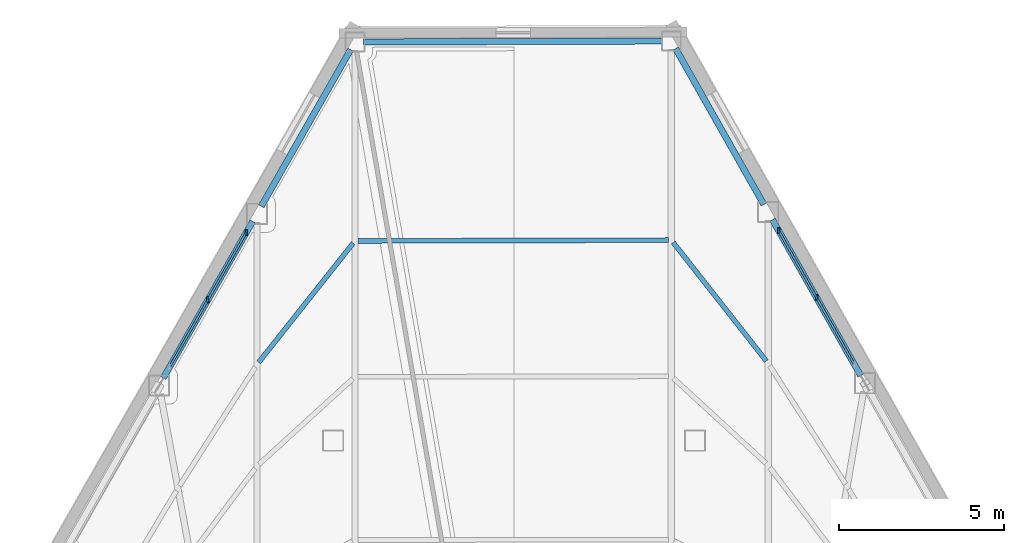
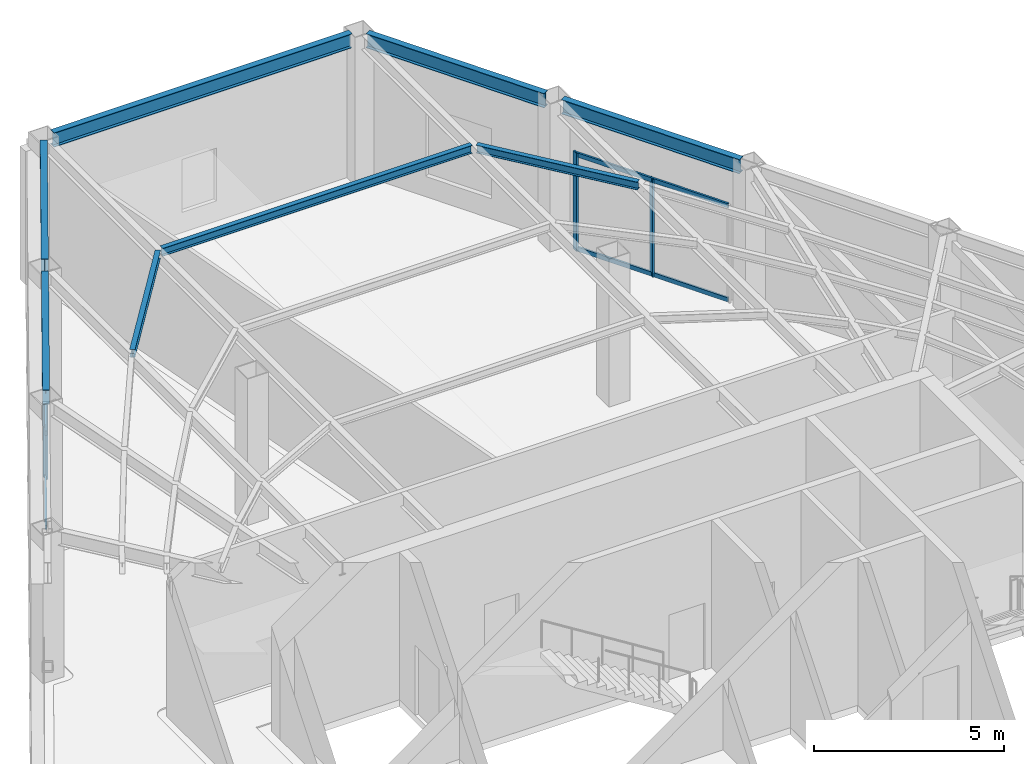
# One storey, part 7 of 14: 8 beams, 8 members, 2 elements without a shape of their own.
"""IFC4 building model written with IfcOpenShell, lengths in metres."""

from ifc_helpers import new_model, si_unit, direction, frame, origin, origin_2d, place, context, subcontext, project, spatial, rectangle, i_section, extrude, material, layer, layer_set, material_profile, profile_set, type_object, element, aggregate, save


model = new_model("IFC4")

# Units and contexts
model_context = context("Model", 3, precision=1e-05, world=origin(), true_north=direction((0.0, 1.0)))
body_context = subcontext(model_context, "Body", "Model", "MODEL_VIEW")
ifc_project = project(units=[si_unit("LENGTHUNIT", "METRE"), si_unit("AREAUNIT", "SQUARE_METRE"), si_unit("VOLUMEUNIT", "CUBIC_METRE"), si_unit("PLANEANGLEUNIT", "RADIAN"), si_unit("MASSUNIT", "GRAM", prefix="KILO")], contexts=[model_context])

# Site, building, storey
site_placement = place(None, origin())
site = spatial("IfcSite", under=ifc_project, at=site_placement, CompositionType="ELEMENT")
building_placement = place(site_placement, origin())
building = spatial("IfcBuilding", under=site, at=building_placement, Name="Kavelnor Concourse Tower", CompositionType="ELEMENT")
storey_placement = place(building_placement, frame((0.0, 0.0, 160.0)))
storey = spatial("IfcBuildingStorey", under=building, at=storey_placement, Name="L40", CompositionType="ELEMENT", Elevation=160.0)

# Beams
ifc_material_1 = material(Name="Steel Grade 350", Category="steel")
ifc_material_profile_1 = material_profile(ifc_material_1, i_section(OverallWidth=0.14599609375, OverallDepth=0.256103515625, WebThickness=0.00634765625, FlangeThickness=0.010986328125, at=origin_2d()), Name="250UB37")
ifc_profile_set_1 = profile_set([ifc_material_profile_1], Name="Steel Grade 350")
beam_type_1 = type_object("IfcBeamType", Name="BM-JOIST-250", PredefinedType="JOIST", material=ifc_profile_set_1)
beam_1_placement = place(storey_placement, frame((45.666259765625, 34.22216796875, 4.6220703125), z_axis=(-0.617929747474, 0.786233315999, 0.0), x_axis=(-0.786233315999, -0.617929747474, 0.0)))
element("IfcBeam", 1, at=beam_1_placement, inside=storey, type_object=beam_type_1, Name="L40 Secondary Composite Joist 14-3", PredefinedType="JOIST", context=body_context, shape_type="SweptSolid", body=[
    extrude(i_section(OverallWidth=0.14599609375, OverallDepth=0.256103515625, WebThickness=0.00634765625, FlangeThickness=0.010986328125, at=origin_2d()), origin(), (0.0, 0.0, 1.0), 4.583984375),
])
beam_2_placement = place(storey_placement, frame((42.689697265625, 37.89599609375, 4.6220703125), z_axis=(-0.999996981115, -0.002457185692, 0.0), x_axis=(0.002457185692, -0.999996981115, 0.0)))
element("IfcBeam", 2, at=beam_2_placement, inside=storey, type_object=beam_type_1, Name="L40 Secondary Composite Joist 15-3", PredefinedType="JOIST", context=body_context, shape_type="SweptSolid", body=[
    extrude(i_section(OverallWidth=0.14599609375, OverallDepth=0.256103515625, WebThickness=0.00634765625, FlangeThickness=0.010986328125, at=origin_2d()), origin(), (0.0, 0.0, 1.0), 9.43896484375),
])
beam_3_placement = place(storey_placement, frame((33.1064453125, 37.802734375, 4.6220703125), z_axis=(-0.620915551658, -0.783877463453, 0.0), x_axis=(0.783877463453, -0.620915551658, 0.0)))
element("IfcBeam", 3, at=beam_3_placement, inside=storey, type_object=beam_type_1, Name="L40 Secondary Composite Joist 16-3", PredefinedType="JOIST", context=body_context, shape_type="SweptSolid", body=[
    extrude(i_section(OverallWidth=0.14599609375, OverallDepth=0.256103515625, WebThickness=0.00634765625, FlangeThickness=0.010986328125, at=origin_2d()), origin(), (0.0, 0.0, 1.0), 4.6171875),
])
ifc_material_profile_2 = material_profile(ifc_material_1, i_section(OverallWidth=0.19091796875, OverallDepth=0.4599609375, WebThickness=0.010009765625, FlangeThickness=0.01611328125, at=origin_2d()), Name="460UB82")
ifc_profile_set_2 = profile_set([ifc_material_profile_2], Name="Steel Grade 350")
beam_type_2 = type_object("IfcBeamType", Name="BM-SPANDREL-Z3", PredefinedType="SPANDREL", material=ifc_profile_set_2)
for number, where, z_axis, x_axis, name in (
    (4, (33.030517578125, 43.686279296875, 4.52001953125), (-0.495423938021, -0.868651323395, 0.0), (0.868651323395, -0.495423938021, 0.0), "L40 Perimeter Tube Spandrel Beam F0-B0"),
    (5, (30.052734375, 38.46533203125, 4.52001953125), (-0.495423938021, -0.868651323395, 0.0), (0.868651323395, -0.495423938021, 0.0), "L40 Perimeter Tube Spandrel Beam F0-B1"),
):
    element("IfcBeam", number, at=place(storey_placement, frame(where, z_axis=z_axis, x_axis=x_axis)), inside=storey, type_object=beam_type_2, Name=name, PredefinedType="SPANDREL", context=body_context, shape_type="SweptSolid", body=[
        extrude(i_section(OverallWidth=0.19091796875, OverallDepth=0.4599609375, WebThickness=0.010009765625, FlangeThickness=0.01611328125, at=origin_2d()), origin(), (0.0, 0.0, 1.0), 5.480224609375),
    ])
beam_4_placement = place(storey_placement, frame((42.513916015625, 43.947998046875, 4.52001953125), z_axis=(-0.999994270308, -0.003385166386, 0.0), x_axis=(0.003385166386, -0.999994270308, 0.0)))
element("IfcBeam", 6, at=beam_4_placement, inside=storey, type_object=beam_type_2, Name="L40 Chamfer Facet Spandrel Beam C0", PredefinedType="SPANDREL", context=body_context, shape_type="SweptSolid", body=[
    extrude(i_section(OverallWidth=0.19091796875, OverallDepth=0.4599609375, WebThickness=0.010009765625, FlangeThickness=0.01611328125, at=origin_2d()), origin(), (0.0, 0.0, 1.0), 9.087158203125),
])
beam_5_placement = place(storey_placement, frame((48.533203125, 33.779541015625, 4.52001953125), z_axis=(-0.492469427055, 0.870329744072, 0.0), x_axis=(-0.870329744072, -0.492469427055, 0.0)))
element("IfcBeam", 7, at=beam_5_placement, inside=storey, type_object=beam_type_2, Name="L40 Perimeter Tube Spandrel Beam F2-B4", PredefinedType="SPANDREL", context=body_context, shape_type="SweptSolid", body=[
    extrude(i_section(OverallWidth=0.19091796875, OverallDepth=0.4599609375, WebThickness=0.010009765625, FlangeThickness=0.01611328125, at=origin_2d()), origin(), (0.0, 0.0, 1.0), 5.44482421875),
])
beam_6_placement = place(storey_placement, frame((45.5908203125, 38.9794921875, 4.52001953125), z_axis=(-0.492484172055, 0.870321400561, 0.0), x_axis=(-0.870321400561, -0.492484172055, 0.0)))
element("IfcBeam", 8, at=beam_6_placement, inside=storey, type_object=beam_type_2, Name="L40 Perimeter Tube Spandrel Beam F2-B5", PredefinedType="SPANDREL", context=body_context, shape_type="SweptSolid", body=[
    extrude(i_section(OverallWidth=0.19091796875, OverallDepth=0.4599609375, WebThickness=0.010009765625, FlangeThickness=0.01611328125, at=origin_2d()), origin(), (0.0, 0.0, 1.0), 5.445068359375),
])

# Curtain wall, members
ifc_material_2 = material(Name="Anodised aluminium 6063-T6", Category="aluminium")
ifc_layer = layer(ifc_material_2, 0.169921875, Name="Anodised aluminium 6063-T6")
ifc_layer_set = layer_set([ifc_layer], Name="Anodised aluminium 6063-T6")
curtain_wall_type = type_object("IfcCurtainWallType", Name="CW-SKYLOBBY-L40", PredefinedType="NOTDEFINED", material=ifc_layer_set)
curtain_wall_1_placement = place(storey_placement, origin())
curtain_wall_1 = element("IfcCurtainWall", 9, at=curtain_wall_1_placement, inside=storey, type_object=curtain_wall_type, Name="L40 Feature Curtain Wall F0-B1", PredefinedType="NOTDEFINED")
ifc_material_profile_3 = material_profile(ifc_material_2, rectangle(XDim=0.06005859375, YDim=0.169921875, at=origin_2d()), Name="AL-MULL 60x170")
ifc_profile_set_3 = profile_set([ifc_material_profile_3], Name="Anodised aluminium 6063-T6")
member_type_1 = type_object("IfcMemberType", Name="CW-SKYLOBBY-L40-MULL", PredefinedType="MULLION", material=ifc_profile_set_3)
member_1_placement = place(storey_placement, frame((29.862060546875, 38.130859375, 0.0), z_axis=(0.0, 0.0, 1.0), x_axis=(1.0, 0.0, 0.0)))
member_1 = element("IfcMember", 10, at=member_1_placement, type_object=member_type_1, Name="L40 Feature Curtain Wall F0-B1 Mullion 0", PredefinedType="MULLION", context=body_context, shape_type="SweptSolid", body=[
    extrude(rectangle(XDim=0.06005859375, YDim=0.169921875, at=origin_2d()), origin(), (0.0, 0.0, 1.0), 3.14990234375),
])
member_2_placement = place(storey_placement, frame((28.6953125, 36.0849609375, 0.0), z_axis=(0.0, 0.0, 1.0), x_axis=(1.0, 0.0, 0.0)))
member_2 = element("IfcMember", 11, at=member_2_placement, type_object=member_type_1, Name="L40 Feature Curtain Wall F0-B1 Mullion 1", PredefinedType="MULLION", context=body_context, shape_type="SweptSolid", body=[
    extrude(rectangle(XDim=0.06005859375, YDim=0.169921875, at=origin_2d()), origin(), (0.0, 0.0, 1.0), 3.14990234375),
])

curtain_wall_2_placement = place(storey_placement, origin())
curtain_wall_2 = element("IfcCurtainWall", 12, at=curtain_wall_2_placement, inside=storey, type_object=curtain_wall_type, Name="L40 Feature Curtain Wall F2-B4", PredefinedType="NOTDEFINED")
member_3_placement = place(storey_placement, frame((47.1923828125, 36.14892578125, 0.0), z_axis=(0.0, 0.0, 1.0), x_axis=(1.0, 0.0, 0.0)))
member_3 = element("IfcMember", 13, at=member_3_placement, type_object=member_type_1, Name="L40 Feature Curtain Wall F2-B4 Mullion 1", PredefinedType="MULLION", context=body_context, shape_type="SweptSolid", body=[
    extrude(rectangle(XDim=0.06005859375, YDim=0.169921875, at=origin_2d()), origin(), (0.0, 0.0, 1.0), 3.14990234375),
])
member_4_placement = place(storey_placement, frame((46.04150390625, 38.183349609375, 0.0), z_axis=(0.0, 0.0, 1.0), x_axis=(1.0, 0.0, 0.0)))
member_4 = element("IfcMember", 14, at=member_4_placement, type_object=member_type_1, Name="L40 Feature Curtain Wall F2-B4 Mullion 2", PredefinedType="MULLION", context=body_context, shape_type="SweptSolid", body=[
    extrude(rectangle(XDim=0.06005859375, YDim=0.169921875, at=origin_2d()), origin(), (0.0, 0.0, 1.0), 3.14990234375),
])

# Member
ifc_material_profile_4 = material_profile(ifc_material_2, rectangle(XDim=0.06005859375, YDim=0.139892578125, at=origin_2d()), Name="AL-TRAN 60x140")
ifc_profile_set_4 = profile_set([ifc_material_profile_4], Name="Anodised aluminium 6063-T6")
member_type_2 = type_object("IfcMemberType", Name="CW-SKYLOBBY-L40-TRAN", PredefinedType="USERDEFINED", material=ifc_profile_set_4)
member_5_placement = place(storey_placement, frame((29.862060546875, 38.130859375, 0.06005859375), z_axis=(-0.495452222269, -0.868635191233, 0.0), x_axis=(0.868635191233, -0.495452222269, 0.0)))
member_5 = element("IfcMember", 15, at=member_5_placement, type_object=member_type_2, Name="L40 Feature Curtain Wall F0-B1 Transom 0-BOT", ObjectType="TRANSOM", PredefinedType="USERDEFINED", context=body_context, shape_type="SweptSolid", body=[
    extrude(rectangle(XDim=0.06005859375, YDim=0.139892578125, at=origin_2d()), origin(), (0.0, 0.0, 1.0), 4.710205078125),
])

member_6_placement = place(storey_placement, frame((29.862060546875, 38.130859375, 3.090087890625), z_axis=(-0.495452222269, -0.868635191233, 0.0), x_axis=(0.868635191233, -0.495452222269, 0.0)))
member_6 = element("IfcMember", 16, at=member_6_placement, type_object=member_type_2, Name="L40 Feature Curtain Wall F0-B1 Transom 0-TOP", ObjectType="TRANSOM", PredefinedType="USERDEFINED", context=body_context, shape_type="SweptSolid", body=[
    extrude(rectangle(XDim=0.06005859375, YDim=0.139892578125, at=origin_2d()), origin(), (0.0, 0.0, 1.0), 4.710205078125),
])

aggregate(curtain_wall_1, [member_1, member_2, member_5, member_6])

member_7_placement = place(storey_placement, frame((48.34375, 34.114501953125, 0.06005859375), z_axis=(-0.492456428814, 0.870337098899, 0.0), x_axis=(-0.870337098899, -0.492456428814, 0.0)))
member_7 = element("IfcMember", 17, at=member_7_placement, type_object=member_type_2, Name="L40 Feature Curtain Wall F2-B4 Transom 0-BOT", ObjectType="TRANSOM", PredefinedType="USERDEFINED", context=body_context, shape_type="SweptSolid", body=[
    extrude(rectangle(XDim=0.06005859375, YDim=0.139892578125, at=origin_2d()), origin(), (0.0, 0.0, 1.0), 4.675048828125),
])

member_8_placement = place(storey_placement, frame((48.34375, 34.114501953125, 3.090087890625), z_axis=(-0.492456428814, 0.870337098899, 0.0), x_axis=(-0.870337098899, -0.492456428814, 0.0)))
member_8 = element("IfcMember", 18, at=member_8_placement, type_object=member_type_2, Name="L40 Feature Curtain Wall F2-B4 Transom 0-TOP", ObjectType="TRANSOM", PredefinedType="USERDEFINED", context=body_context, shape_type="SweptSolid", body=[
    extrude(rectangle(XDim=0.06005859375, YDim=0.139892578125, at=origin_2d()), origin(), (0.0, 0.0, 1.0), 4.675048828125),
])

aggregate(curtain_wall_2, [member_3, member_4, member_7, member_8])

save(model, "model.ifc")
